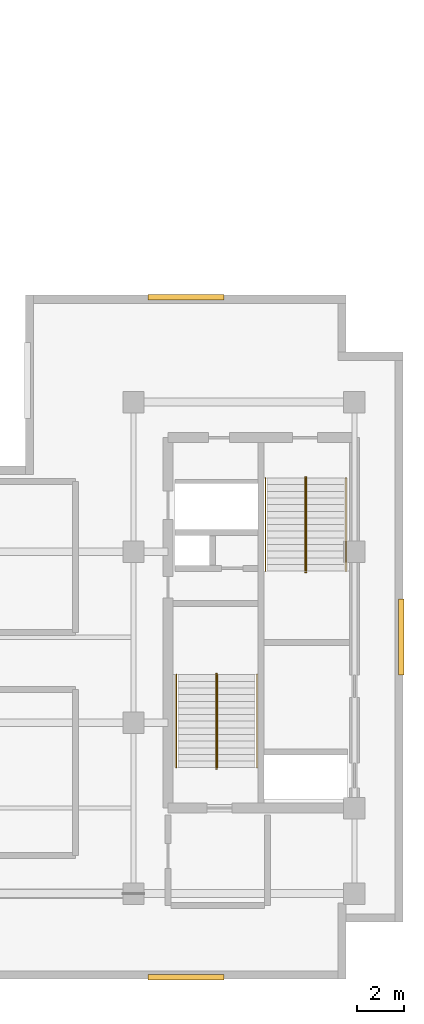
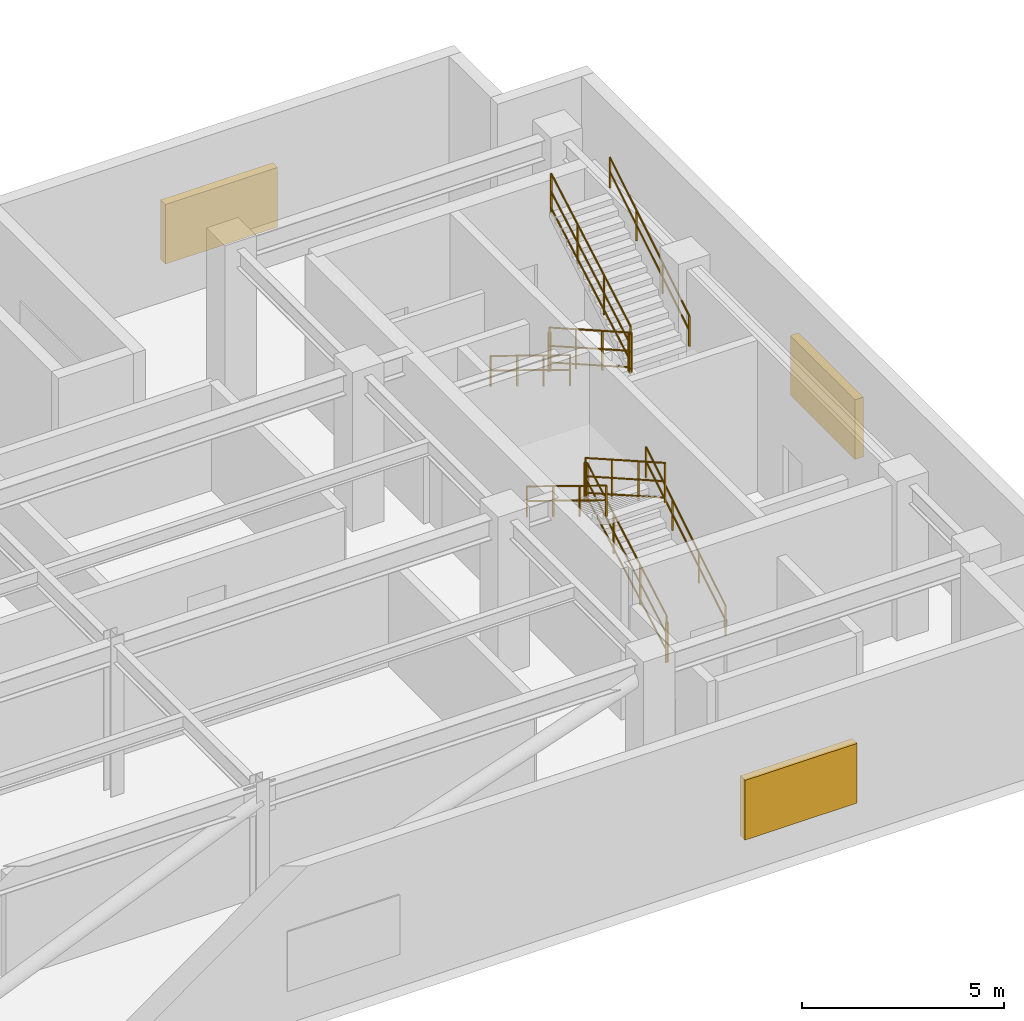
# One storey, part 12 of 13: 12 railings, 3 shading devices.
"""IFC4 building model written with IfcOpenShell, lengths in metres."""

from ifc_helpers import new_model, entity, si_unit, converted_unit, direction, frame, origin_with_axes, origin_2d_with_axis, place, context, subcontext, project, spatial, rectangle, circle, extrude, material, type_object, element, save


model = new_model("IFC4")

# Units and contexts
model_context = context("Model", 3, precision=1e-05, world=origin_with_axes(), true_north=direction((0.0, 1.0)))
body_context = subcontext(model_context, "Body", "Model", "MODEL_VIEW")
ifc_project = project(units=[si_unit("LENGTHUNIT", "METRE"), si_unit("AREAUNIT", "SQUARE_METRE"), si_unit("VOLUMEUNIT", "CUBIC_METRE"), converted_unit("PLANEANGLEUNIT", "DEGREE", entity("IfcPlaneAngleMeasure", 0.017453292519943295), si_unit("PLANEANGLEUNIT", "RADIAN"), dimensions=[0, 0, 0, 0, 0, 0, 0]), si_unit("MASSUNIT", "GRAM", prefix="KILO"), si_unit("THERMODYNAMICTEMPERATUREUNIT", "KELVIN")], contexts=[model_context])

# Site, building, storey
site_placement = place(None, origin_with_axes())
site = spatial("IfcSite", under=ifc_project, at=site_placement, CompositionType="ELEMENT")
building_placement = place(site_placement, origin_with_axes())
building = spatial("IfcBuilding", under=site, at=building_placement, Name="Varnlund Millrace Tower", CompositionType="ELEMENT")
storey_placement = place(building_placement, frame((0.0, 0.0, 248.1), z_axis=(0.0, 0.0, 1.0), x_axis=(1.0, 0.0, 0.0)))
storey = spatial("IfcBuildingStorey", under=building, at=storey_placement, Name="L61", CompositionType="ELEMENT", Elevation=248.1)

# Shading devices
ifc_material_1 = material(Name="Architectural bronze cold-climate intake louvre", Category="aluminium")
shading_device_type = type_object("IfcShadingDeviceType", Name="Type-Shade-CrownLouvre-JAL", PredefinedType="JALOUSIE", material=ifc_material_1)
for number, where, z_axis, x_axis, name in (
    (1, (40.95, 0.08, 1.0), (0.0, 0.0, 1.0), (1.0, 0.0, 0.0), "Type-Shade-CrownLouvre-JAL"),
    (2, (50.02, 14.4, 1.0), (0.0, 0.0, 1.0), (0.0, 1.0, 0.0), "Type-Shade-CrownLouvre-JAL"),
    (3, (40.95, 28.72, 1.0), (0.0, 0.0, 1.0), (1.0, 0.0, 0.0), "Type-Shade-CrownLouvre-JAL"),
):
    element("IfcShadingDevice", number, at=place(storey_placement, frame(where, z_axis=z_axis, x_axis=x_axis)), inside=storey, type_object=shading_device_type, Name=name, PredefinedType="JALOUSIE", context=body_context, shape_type="SweptSolid", body=[
        extrude(rectangle(XDim=3.2, YDim=0.24, at=origin_2d_with_axis()), origin_with_axes(), (0.0, 0.0, 1.0), 1.8),
    ])

# Railings
ifc_material_2 = material(Name="Painted steel stair well balustrade guard", Category="steel")
railing_type_1 = type_object("IfcRailingType", Name="Type-StairGuard-1150", PredefinedType="GUARDRAIL", material=ifc_material_2)
railing_1_placement = place(storey_placement, frame((0.0, 0.0, -248.1), z_axis=(0.0, 0.0, 1.0), x_axis=(1.0, 0.0, 0.0)))
element("IfcRailing", 4, at=railing_1_placement, inside=storey, type_object=railing_type_1, Name="Type-StairGuard-1150", PredefinedType="GUARDRAIL", context=body_context, shape_type="SweptSolid", body=[
    extrude(circle(Radius=0.024, at=origin_2d_with_axis()), frame((42.275, 8.9, 249.421429), z_axis=(0.0, 0.869333, 0.494227), x_axis=(-1.0, 0.0, 0.0)), (0.0, 0.0, 1.0), 4.509205),
    extrude(circle(Radius=0.024, at=origin_2d_with_axis()), frame((42.275, 8.9, 248.371429), z_axis=(0.0, 0.869333, 0.494227), x_axis=(-1.0, 0.0, 0.0)), (0.0, 0.0, 1.0), 4.509205),
    extrude(circle(Radius=0.024, at=origin_2d_with_axis()), frame((42.275, 8.9, 248.869429), z_axis=(0.0, 0.869333, 0.494227), x_axis=(-1.0, 0.0, 0.0)), (0.0, 0.0, 1.0), 4.509205),
    extrude(rectangle(XDim=0.04, YDim=0.04, at=origin_2d_with_axis()), frame((42.275, 8.9, 248.231429), z_axis=(0.0, 0.0, 1.0), x_axis=(1.0, 0.0, 0.0)), (0.0, 0.0, 1.0), 1.19),
    extrude(rectangle(XDim=0.04, YDim=0.04, at=origin_2d_with_axis()), frame((42.275, 10.206667, 248.974286), z_axis=(0.0, 0.0, 1.0), x_axis=(1.0, 0.0, 0.0)), (0.0, 0.0, 1.0), 1.19),
    extrude(rectangle(XDim=0.04, YDim=0.04, at=origin_2d_with_axis()), frame((42.275, 11.513333, 249.717143), z_axis=(0.0, 0.0, 1.0), x_axis=(1.0, 0.0, 0.0)), (0.0, 0.0, 1.0), 1.19),
    extrude(rectangle(XDim=0.04, YDim=0.04, at=origin_2d_with_axis()), frame((42.275, 12.82, 250.46), z_axis=(0.0, 0.0, 1.0), x_axis=(1.0, 0.0, 0.0)), (0.0, 0.0, 1.0), 1.19),
])
railing_2_placement = place(storey_placement, frame((0.0, 0.0, -248.1), z_axis=(0.0, 0.0, 1.0), x_axis=(1.0, 0.0, 0.0)))
element("IfcRailing", 5, at=railing_2_placement, inside=storey, type_object=railing_type_1, Name="Type-StairGuard-1150", PredefinedType="GUARDRAIL", context=body_context, shape_type="SweptSolid", body=[
    extrude(circle(Radius=0.024, at=origin_2d_with_axis()), frame((42.225, 12.87, 251.65), z_axis=(1.0, 0.0, 0.0), x_axis=(0.0, 1.0, 0.0)), (0.0, 0.0, 1.0), 0.05),
    extrude(circle(Radius=0.024, at=origin_2d_with_axis()), frame((42.225, 12.87, 250.6), z_axis=(1.0, 0.0, 0.0), x_axis=(0.0, 1.0, 0.0)), (0.0, 0.0, 1.0), 0.05),
    extrude(circle(Radius=0.024, at=origin_2d_with_axis()), frame((42.225, 12.87, 251.098), z_axis=(1.0, 0.0, 0.0), x_axis=(0.0, 1.0, 0.0)), (0.0, 0.0, 1.0), 0.05),
    extrude(rectangle(XDim=0.04, YDim=0.04, at=origin_2d_with_axis()), frame((42.225, 12.87, 250.46), z_axis=(0.0, 0.0, 1.0), x_axis=(1.0, 0.0, 0.0)), (0.0, 0.0, 1.0), 1.19),
    extrude(rectangle(XDim=0.04, YDim=0.04, at=origin_2d_with_axis()), frame((42.275, 12.87, 250.46), z_axis=(0.0, 0.0, 1.0), x_axis=(1.0, 0.0, 0.0)), (0.0, 0.0, 1.0), 1.19),
])
railing_3_placement = place(storey_placement, frame((0.0, 0.0, -248.1), z_axis=(0.0, 0.0, 1.0), x_axis=(1.0, 0.0, 0.0)))
element("IfcRailing", 6, at=railing_3_placement, inside=storey, type_object=railing_type_1, Name="Type-StairGuard-1150", PredefinedType="GUARDRAIL", context=body_context, shape_type="SweptSolid", body=[
    extrude(circle(Radius=0.024, at=origin_2d_with_axis()), frame((42.225, 12.82, 251.821429), z_axis=(0.0, -0.869333, 0.494227), x_axis=(1.0, 0.0, 0.0)), (0.0, 0.0, 1.0), 4.509205),
    extrude(circle(Radius=0.024, at=origin_2d_with_axis()), frame((42.225, 12.82, 250.771429), z_axis=(0.0, -0.869333, 0.494227), x_axis=(1.0, 0.0, 0.0)), (0.0, 0.0, 1.0), 4.509205),
    extrude(circle(Radius=0.024, at=origin_2d_with_axis()), frame((42.225, 12.82, 251.269429), z_axis=(0.0, -0.869333, 0.494227), x_axis=(1.0, 0.0, 0.0)), (0.0, 0.0, 1.0), 4.509205),
    extrude(rectangle(XDim=0.04, YDim=0.04, at=origin_2d_with_axis()), frame((42.225, 12.82, 250.631429), z_axis=(0.0, 0.0, 1.0), x_axis=(1.0, 0.0, 0.0)), (0.0, 0.0, 1.0), 1.19),
    extrude(rectangle(XDim=0.04, YDim=0.04, at=origin_2d_with_axis()), frame((42.225, 11.513333, 251.374286), z_axis=(0.0, 0.0, 1.0), x_axis=(1.0, 0.0, 0.0)), (0.0, 0.0, 1.0), 1.19),
    extrude(rectangle(XDim=0.04, YDim=0.04, at=origin_2d_with_axis()), frame((42.225, 10.206667, 252.117143), z_axis=(0.0, 0.0, 1.0), x_axis=(1.0, 0.0, 0.0)), (0.0, 0.0, 1.0), 1.19),
    extrude(rectangle(XDim=0.04, YDim=0.04, at=origin_2d_with_axis()), frame((42.225, 8.9, 252.86), z_axis=(0.0, 0.0, 1.0), x_axis=(1.0, 0.0, 0.0)), (0.0, 0.0, 1.0), 1.19),
])
railing_4_placement = place(storey_placement, frame((0.0, 0.0, -248.1), z_axis=(0.0, 0.0, 1.0), x_axis=(1.0, 0.0, 0.0)))
element("IfcRailing", 7, at=railing_4_placement, inside=storey, type_object=railing_type_1, Name="Type-StairGuard-1150", PredefinedType="GUARDRAIL", context=body_context, shape_type="SweptSolid", body=[
    extrude(circle(Radius=0.024, at=origin_2d_with_axis()), frame((42.225, 8.85, 249.25), z_axis=(1.0, 0.0, 0.0), x_axis=(0.0, 1.0, 0.0)), (0.0, 0.0, 1.0), 0.05),
    extrude(circle(Radius=0.024, at=origin_2d_with_axis()), frame((42.225, 8.85, 248.2), z_axis=(1.0, 0.0, 0.0), x_axis=(0.0, 1.0, 0.0)), (0.0, 0.0, 1.0), 0.05),
    extrude(circle(Radius=0.024, at=origin_2d_with_axis()), frame((42.225, 8.85, 248.698), z_axis=(1.0, 0.0, 0.0), x_axis=(0.0, 1.0, 0.0)), (0.0, 0.0, 1.0), 0.05),
    extrude(rectangle(XDim=0.04, YDim=0.04, at=origin_2d_with_axis()), frame((42.225, 8.85, 248.06), z_axis=(0.0, 0.0, 1.0), x_axis=(1.0, 0.0, 0.0)), (0.0, 0.0, 1.0), 1.19),
    extrude(rectangle(XDim=0.04, YDim=0.04, at=origin_2d_with_axis()), frame((42.275, 8.85, 248.06), z_axis=(0.0, 0.0, 1.0), x_axis=(1.0, 0.0, 0.0)), (0.0, 0.0, 1.0), 1.19),
])
railing_5_placement = place(storey_placement, frame((0.0, 0.0, -248.1), z_axis=(0.0, 0.0, 1.0), x_axis=(1.0, 0.0, 0.0)))
element("IfcRailing", 8, at=railing_5_placement, inside=storey, type_object=railing_type_1, Name="Type-StairGuard-1150", PredefinedType="GUARDRAIL", context=body_context, shape_type="SweptSolid", body=[
    extrude(circle(Radius=0.024, at=origin_2d_with_axis()), frame((45.975, 21.1, 249.421429), z_axis=(0.0, -0.869333, 0.494227), x_axis=(1.0, 0.0, 0.0)), (0.0, 0.0, 1.0), 4.509205),
    extrude(circle(Radius=0.024, at=origin_2d_with_axis()), frame((45.975, 21.1, 248.371429), z_axis=(0.0, -0.869333, 0.494227), x_axis=(1.0, 0.0, 0.0)), (0.0, 0.0, 1.0), 4.509205),
    extrude(circle(Radius=0.024, at=origin_2d_with_axis()), frame((45.975, 21.1, 248.869429), z_axis=(0.0, -0.869333, 0.494227), x_axis=(1.0, 0.0, 0.0)), (0.0, 0.0, 1.0), 4.509205),
    extrude(rectangle(XDim=0.04, YDim=0.04, at=origin_2d_with_axis()), frame((45.975, 21.1, 248.231429), z_axis=(0.0, 0.0, 1.0), x_axis=(1.0, 0.0, 0.0)), (0.0, 0.0, 1.0), 1.19),
    extrude(rectangle(XDim=0.04, YDim=0.04, at=origin_2d_with_axis()), frame((45.975, 19.793333, 248.974286), z_axis=(0.0, 0.0, 1.0), x_axis=(1.0, 0.0, 0.0)), (0.0, 0.0, 1.0), 1.19),
    extrude(rectangle(XDim=0.04, YDim=0.04, at=origin_2d_with_axis()), frame((45.975, 18.486667, 249.717143), z_axis=(0.0, 0.0, 1.0), x_axis=(1.0, 0.0, 0.0)), (0.0, 0.0, 1.0), 1.19),
    extrude(rectangle(XDim=0.04, YDim=0.04, at=origin_2d_with_axis()), frame((45.975, 17.18, 250.46), z_axis=(0.0, 0.0, 1.0), x_axis=(1.0, 0.0, 0.0)), (0.0, 0.0, 1.0), 1.19),
])
railing_6_placement = place(storey_placement, frame((0.0, 0.0, -248.1), z_axis=(0.0, 0.0, 1.0), x_axis=(1.0, 0.0, 0.0)))
element("IfcRailing", 9, at=railing_6_placement, inside=storey, type_object=railing_type_1, Name="Type-StairGuard-1150", PredefinedType="GUARDRAIL", context=body_context, shape_type="SweptSolid", body=[
    extrude(circle(Radius=0.024, at=origin_2d_with_axis()), frame((46.025, 17.13, 251.65), z_axis=(-1.0, 0.0, 0.0), x_axis=(0.0, -1.0, 0.0)), (0.0, 0.0, 1.0), 0.05),
    extrude(circle(Radius=0.024, at=origin_2d_with_axis()), frame((46.025, 17.13, 250.6), z_axis=(-1.0, 0.0, 0.0), x_axis=(0.0, -1.0, 0.0)), (0.0, 0.0, 1.0), 0.05),
    extrude(circle(Radius=0.024, at=origin_2d_with_axis()), frame((46.025, 17.13, 251.098), z_axis=(-1.0, 0.0, 0.0), x_axis=(0.0, -1.0, 0.0)), (0.0, 0.0, 1.0), 0.05),
    extrude(rectangle(XDim=0.04, YDim=0.04, at=origin_2d_with_axis()), frame((46.025, 17.13, 250.46), z_axis=(0.0, 0.0, 1.0), x_axis=(1.0, 0.0, 0.0)), (0.0, 0.0, 1.0), 1.19),
    extrude(rectangle(XDim=0.04, YDim=0.04, at=origin_2d_with_axis()), frame((45.975, 17.13, 250.46), z_axis=(0.0, 0.0, 1.0), x_axis=(1.0, 0.0, 0.0)), (0.0, 0.0, 1.0), 1.19),
])
railing_7_placement = place(storey_placement, frame((0.0, 0.0, -248.1), z_axis=(0.0, 0.0, 1.0), x_axis=(1.0, 0.0, 0.0)))
element("IfcRailing", 10, at=railing_7_placement, inside=storey, type_object=railing_type_1, Name="Type-StairGuard-1150", PredefinedType="GUARDRAIL", context=body_context, shape_type="SweptSolid", body=[
    extrude(circle(Radius=0.024, at=origin_2d_with_axis()), frame((46.025, 17.18, 251.821429), z_axis=(0.0, 0.869333, 0.494227), x_axis=(-1.0, 0.0, 0.0)), (0.0, 0.0, 1.0), 4.509205),
    extrude(circle(Radius=0.024, at=origin_2d_with_axis()), frame((46.025, 17.18, 250.771429), z_axis=(0.0, 0.869333, 0.494227), x_axis=(-1.0, 0.0, 0.0)), (0.0, 0.0, 1.0), 4.509205),
    extrude(circle(Radius=0.024, at=origin_2d_with_axis()), frame((46.025, 17.18, 251.269429), z_axis=(0.0, 0.869333, 0.494227), x_axis=(-1.0, 0.0, 0.0)), (0.0, 0.0, 1.0), 4.509205),
    extrude(rectangle(XDim=0.04, YDim=0.04, at=origin_2d_with_axis()), frame((46.025, 17.18, 250.631429), z_axis=(0.0, 0.0, 1.0), x_axis=(1.0, 0.0, 0.0)), (0.0, 0.0, 1.0), 1.19),
    extrude(rectangle(XDim=0.04, YDim=0.04, at=origin_2d_with_axis()), frame((46.025, 18.486667, 251.374286), z_axis=(0.0, 0.0, 1.0), x_axis=(1.0, 0.0, 0.0)), (0.0, 0.0, 1.0), 1.19),
    extrude(rectangle(XDim=0.04, YDim=0.04, at=origin_2d_with_axis()), frame((46.025, 19.793333, 252.117143), z_axis=(0.0, 0.0, 1.0), x_axis=(1.0, 0.0, 0.0)), (0.0, 0.0, 1.0), 1.19),
    extrude(rectangle(XDim=0.04, YDim=0.04, at=origin_2d_with_axis()), frame((46.025, 21.1, 252.86), z_axis=(0.0, 0.0, 1.0), x_axis=(1.0, 0.0, 0.0)), (0.0, 0.0, 1.0), 1.19),
])
railing_8_placement = place(storey_placement, frame((0.0, 0.0, -248.1), z_axis=(0.0, 0.0, 1.0), x_axis=(1.0, 0.0, 0.0)))
element("IfcRailing", 11, at=railing_8_placement, inside=storey, type_object=railing_type_1, Name="Type-StairGuard-1150", PredefinedType="GUARDRAIL", context=body_context, shape_type="SweptSolid", body=[
    extrude(circle(Radius=0.024, at=origin_2d_with_axis()), frame((46.025, 21.15, 249.25), z_axis=(-1.0, 0.0, 0.0), x_axis=(0.0, -1.0, 0.0)), (0.0, 0.0, 1.0), 0.05),
    extrude(circle(Radius=0.024, at=origin_2d_with_axis()), frame((46.025, 21.15, 248.2), z_axis=(-1.0, 0.0, 0.0), x_axis=(0.0, -1.0, 0.0)), (0.0, 0.0, 1.0), 0.05),
    extrude(circle(Radius=0.024, at=origin_2d_with_axis()), frame((46.025, 21.15, 248.698), z_axis=(-1.0, 0.0, 0.0), x_axis=(0.0, -1.0, 0.0)), (0.0, 0.0, 1.0), 0.05),
    extrude(rectangle(XDim=0.04, YDim=0.04, at=origin_2d_with_axis()), frame((46.025, 21.15, 248.06), z_axis=(0.0, 0.0, 1.0), x_axis=(1.0, 0.0, 0.0)), (0.0, 0.0, 1.0), 1.19),
    extrude(rectangle(XDim=0.04, YDim=0.04, at=origin_2d_with_axis()), frame((45.975, 21.15, 248.06), z_axis=(0.0, 0.0, 1.0), x_axis=(1.0, 0.0, 0.0)), (0.0, 0.0, 1.0), 1.19),
])
ifc_material_3 = material(Name="Brushed architectural bronze stair handrail", Category="aluminium")
railing_type_2 = type_object("IfcRailingType", Name="Type-StairHandrail-900", PredefinedType="HANDRAIL", material=ifc_material_3)
railing_9_placement = place(storey_placement, frame((0.0, 0.0, -248.1), z_axis=(0.0, 0.0, 1.0), x_axis=(1.0, 0.0, 0.0)))
element("IfcRailing", 12, at=railing_9_placement, inside=storey, type_object=railing_type_2, Name="Type-StairHandrail-900", PredefinedType="HANDRAIL", context=body_context, shape_type="SweptSolid", body=[
    extrude(circle(Radius=0.024, at=origin_2d_with_axis()), frame((43.95, 8.9, 249.150961), z_axis=(0.0, 0.852851, 0.522154), x_axis=(-1.0, 0.0, 0.0)), (0.0, 0.0, 1.0), 4.596346),
    extrude(circle(Radius=0.024, at=origin_2d_with_axis()), frame((43.95, 8.9, 248.711195), z_axis=(0.0, 0.852851, 0.522154), x_axis=(-1.0, 0.0, 0.0)), (0.0, 0.0, 1.0), 4.596346),
    extrude(rectangle(XDim=0.04, YDim=0.04, at=origin_2d_with_axis()), frame((43.95, 8.9, 248.231429), z_axis=(0.0, 0.0, 1.0), x_axis=(1.0, 0.0, 0.0)), (0.0, 0.0, 1.0), 0.919532),
    extrude(rectangle(XDim=0.04, YDim=0.04, at=origin_2d_with_axis()), frame((43.95, 10.206667, 249.031429), z_axis=(0.0, 0.0, 1.0), x_axis=(1.0, 0.0, 0.0)), (0.0, 0.0, 1.0), 0.919532),
    extrude(rectangle(XDim=0.04, YDim=0.04, at=origin_2d_with_axis()), frame((43.95, 11.513333, 249.831429), z_axis=(0.0, 0.0, 1.0), x_axis=(1.0, 0.0, 0.0)), (0.0, 0.0, 1.0), 0.919532),
    extrude(rectangle(XDim=0.04, YDim=0.04, at=origin_2d_with_axis()), frame((43.95, 12.82, 250.631429), z_axis=(0.0, 0.0, 1.0), x_axis=(1.0, 0.0, 0.0)), (0.0, 0.0, 1.0), 0.919532),
])
railing_10_placement = place(storey_placement, frame((0.0, 0.0, -248.1), z_axis=(0.0, 0.0, 1.0), x_axis=(1.0, 0.0, 0.0)))
element("IfcRailing", 13, at=railing_10_placement, inside=storey, type_object=railing_type_2, Name="Type-StairHandrail-900", PredefinedType="HANDRAIL", context=body_context, shape_type="SweptSolid", body=[
    extrude(circle(Radius=0.024, at=origin_2d_with_axis()), frame((40.55, 12.82, 251.550961), z_axis=(0.0, -0.852851, 0.522154), x_axis=(1.0, 0.0, 0.0)), (0.0, 0.0, 1.0), 4.596346),
    extrude(circle(Radius=0.024, at=origin_2d_with_axis()), frame((40.55, 12.82, 251.111195), z_axis=(0.0, -0.852851, 0.522154), x_axis=(1.0, 0.0, 0.0)), (0.0, 0.0, 1.0), 4.596346),
    extrude(rectangle(XDim=0.04, YDim=0.04, at=origin_2d_with_axis()), frame((40.55, 12.82, 250.631429), z_axis=(0.0, 0.0, 1.0), x_axis=(1.0, 0.0, 0.0)), (0.0, 0.0, 1.0), 0.919532),
    extrude(rectangle(XDim=0.04, YDim=0.04, at=origin_2d_with_axis()), frame((40.55, 11.513333, 251.431429), z_axis=(0.0, 0.0, 1.0), x_axis=(1.0, 0.0, 0.0)), (0.0, 0.0, 1.0), 0.919532),
    extrude(rectangle(XDim=0.04, YDim=0.04, at=origin_2d_with_axis()), frame((40.55, 10.206667, 252.231429), z_axis=(0.0, 0.0, 1.0), x_axis=(1.0, 0.0, 0.0)), (0.0, 0.0, 1.0), 0.919532),
    extrude(rectangle(XDim=0.04, YDim=0.04, at=origin_2d_with_axis()), frame((40.55, 8.9, 253.031429), z_axis=(0.0, 0.0, 1.0), x_axis=(1.0, 0.0, 0.0)), (0.0, 0.0, 1.0), 0.919532),
])
railing_11_placement = place(storey_placement, frame((0.0, 0.0, -248.1), z_axis=(0.0, 0.0, 1.0), x_axis=(1.0, 0.0, 0.0)))
element("IfcRailing", 14, at=railing_11_placement, inside=storey, type_object=railing_type_2, Name="Type-StairHandrail-900", PredefinedType="HANDRAIL", context=body_context, shape_type="SweptSolid", body=[
    extrude(circle(Radius=0.024, at=origin_2d_with_axis()), frame((44.3, 21.1, 249.150961), z_axis=(0.0, -0.852851, 0.522154), x_axis=(1.0, 0.0, 0.0)), (0.0, 0.0, 1.0), 4.596346),
    extrude(circle(Radius=0.024, at=origin_2d_with_axis()), frame((44.3, 21.1, 248.711195), z_axis=(0.0, -0.852851, 0.522154), x_axis=(1.0, 0.0, 0.0)), (0.0, 0.0, 1.0), 4.596346),
    extrude(rectangle(XDim=0.04, YDim=0.04, at=origin_2d_with_axis()), frame((44.3, 21.1, 248.231429), z_axis=(0.0, 0.0, 1.0), x_axis=(1.0, 0.0, 0.0)), (0.0, 0.0, 1.0), 0.919532),
    extrude(rectangle(XDim=0.04, YDim=0.04, at=origin_2d_with_axis()), frame((44.3, 19.793333, 249.031429), z_axis=(0.0, 0.0, 1.0), x_axis=(1.0, 0.0, 0.0)), (0.0, 0.0, 1.0), 0.919532),
    extrude(rectangle(XDim=0.04, YDim=0.04, at=origin_2d_with_axis()), frame((44.3, 18.486667, 249.831429), z_axis=(0.0, 0.0, 1.0), x_axis=(1.0, 0.0, 0.0)), (0.0, 0.0, 1.0), 0.919532),
    extrude(rectangle(XDim=0.04, YDim=0.04, at=origin_2d_with_axis()), frame((44.3, 17.18, 250.631429), z_axis=(0.0, 0.0, 1.0), x_axis=(1.0, 0.0, 0.0)), (0.0, 0.0, 1.0), 0.919532),
])
railing_12_placement = place(storey_placement, frame((0.0, 0.0, -248.1), z_axis=(0.0, 0.0, 1.0), x_axis=(1.0, 0.0, 0.0)))
element("IfcRailing", 15, at=railing_12_placement, inside=storey, type_object=railing_type_2, Name="Type-StairHandrail-900", PredefinedType="HANDRAIL", context=body_context, shape_type="SweptSolid", body=[
    extrude(circle(Radius=0.024, at=origin_2d_with_axis()), frame((47.7, 17.18, 251.550961), z_axis=(0.0, 0.852851, 0.522154), x_axis=(-1.0, 0.0, 0.0)), (0.0, 0.0, 1.0), 4.596346),
    extrude(circle(Radius=0.024, at=origin_2d_with_axis()), frame((47.7, 17.18, 251.111195), z_axis=(0.0, 0.852851, 0.522154), x_axis=(-1.0, 0.0, 0.0)), (0.0, 0.0, 1.0), 4.596346),
    extrude(rectangle(XDim=0.04, YDim=0.04, at=origin_2d_with_axis()), frame((47.7, 17.18, 250.631429), z_axis=(0.0, 0.0, 1.0), x_axis=(1.0, 0.0, 0.0)), (0.0, 0.0, 1.0), 0.919532),
    extrude(rectangle(XDim=0.04, YDim=0.04, at=origin_2d_with_axis()), frame((47.7, 18.486667, 251.431429), z_axis=(0.0, 0.0, 1.0), x_axis=(1.0, 0.0, 0.0)), (0.0, 0.0, 1.0), 0.919532),
    extrude(rectangle(XDim=0.04, YDim=0.04, at=origin_2d_with_axis()), frame((47.7, 19.793333, 252.231429), z_axis=(0.0, 0.0, 1.0), x_axis=(1.0, 0.0, 0.0)), (0.0, 0.0, 1.0), 0.919532),
    extrude(rectangle(XDim=0.04, YDim=0.04, at=origin_2d_with_axis()), frame((47.7, 21.1, 253.031429), z_axis=(0.0, 0.0, 1.0), x_axis=(1.0, 0.0, 0.0)), (0.0, 0.0, 1.0), 0.919532),
])

save(model, "model.ifc")
